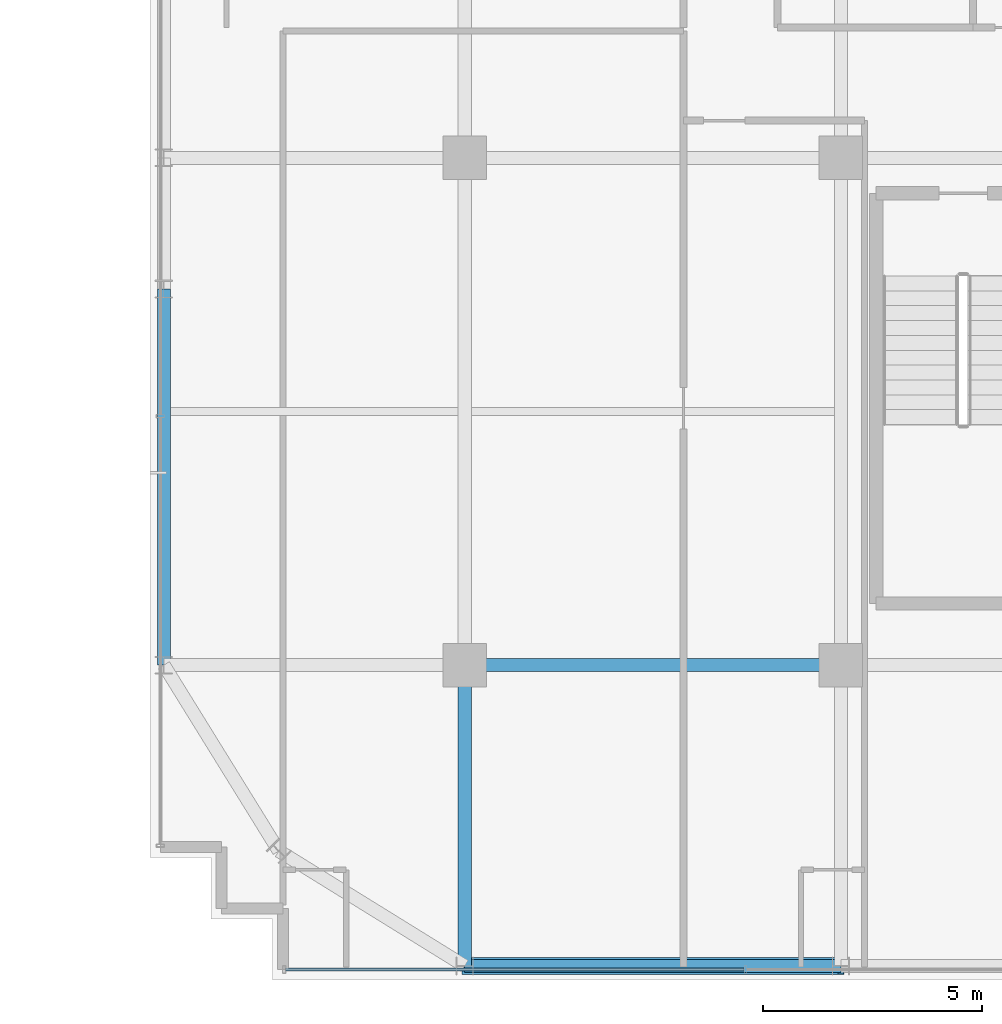
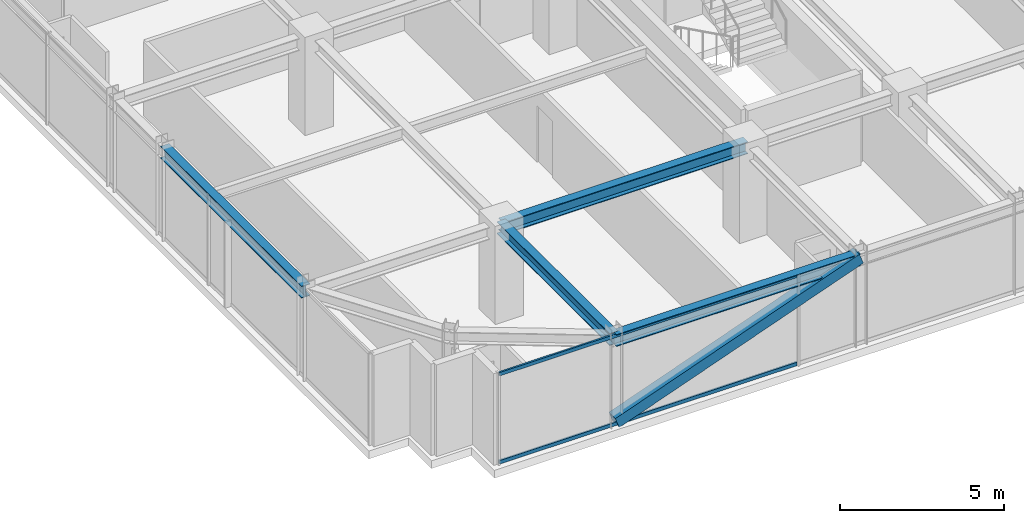
# One storey, part 5 of 36: 4 beams, 3 members, 1 element without a shape of its own.
"""IFC4 building model written with IfcOpenShell, lengths in metres."""

from ifc_helpers import new_model, si_unit, direction, frame, origin, origin_2d, place, context, subcontext, project, spatial, hollow_rectangle, i_section, extrude, source, transform, mapped, material, material_profile, profile_set, type_object, element, aggregate, save


model = new_model("IFC4")

# Units and contexts
model_context = context("Model", 3, precision=1e-05, world=origin(), true_north=direction((0.0, 1.0)))
body_context = subcontext(model_context, "Body", "Model", "MODEL_VIEW")
ifc_project = project(units=[si_unit("LENGTHUNIT", "METRE"), si_unit("AREAUNIT", "SQUARE_METRE"), si_unit("VOLUMEUNIT", "CUBIC_METRE"), si_unit("PLANEANGLEUNIT", "RADIAN"), si_unit("MASSUNIT", "GRAM", prefix="KILO")], contexts=[model_context])

# Site, building, storey
site_placement = place(None, origin())
site = spatial("IfcSite", under=ifc_project, at=site_placement, CompositionType="ELEMENT")
building_placement = place(site_placement, origin())
building = spatial("IfcBuilding", under=site, at=building_placement, Name="Nahalor Promenade Grand Hotel", CompositionType="ELEMENT")
storey_placement = place(building_placement, frame((0.0, 0.0, 212.300048828125)))
storey = spatial("IfcBuildingStorey", under=building, at=storey_placement, Name="L54", CompositionType="ELEMENT", Elevation=212.300048828125)

# Beams
ifc_material_1 = material(Name="Steel S355JR", Category="steel")
ifc_material_profile_1 = material_profile(ifc_material_1, i_section(OverallWidth=0.3, OverallDepth=0.45, WebThickness=0.014, FlangeThickness=0.026, at=origin_2d()), Name="HEB 450")
ifc_profile_set_1 = profile_set([ifc_material_profile_1], Name="Steel S355JR")
beam_type_1 = type_object("IfcBeamType", Name="Beam-Spandrel-HEB450", PredefinedType="SPANDREL", material=ifc_profile_set_1)
shared_shape_1 = source(origin(), body_context, "Body", "SweptSolid", [
    extrude(i_section(OverallWidth=0.3, OverallDepth=0.45, WebThickness=0.014, FlangeThickness=0.026, at=origin_2d()), origin(), (0.0, 0.0, 1.0), 8.60009765625),
])
for number, where, z_axis, x_axis, name in (
    (1, (-17.0, -23.8798828125, 3.18505859375), (1.0, 0.0, 0.0), (0.0, 1.0, 0.0), "BM-L54-SP-S-0"),
    (2, (-23.8798828125, -17.0, 3.18505859375), (0.0, 1.0, 0.0), (-1.0, 0.0, 0.0), "BM-L54-SP-W-0"),
):
    element("IfcBeam", number, at=place(storey_placement, frame(where, z_axis=z_axis, x_axis=x_axis)), inside=storey, type_object=beam_type_1, Name=name, PredefinedType="SPANDREL", context=body_context, shape_type="MappedRepresentation", body=[
        mapped(shared_shape_1, transform((0.0, 0.0, 0.0), scale=1.0)),
    ])
ifc_material_profile_2 = material_profile(ifc_material_1, i_section(OverallWidth=0.3, OverallDepth=0.45, WebThickness=0.014, FlangeThickness=0.026, at=origin_2d()), Name="HEB 450")
ifc_profile_set_2 = profile_set([ifc_material_profile_2], Name="Steel S355JR")
beam_type_2 = type_object("IfcBeamType", Name="Beam-Girder-HEB450", PredefinedType="BEAM", material=ifc_profile_set_2)
shared_shape_2 = source(origin(), body_context, "Body", "SweptSolid", [
    extrude(i_section(OverallWidth=0.3, OverallDepth=0.45, WebThickness=0.014, FlangeThickness=0.026, at=origin_2d()), origin(), (0.0, 0.0, 1.0), 6.8798828125),
])
beam_1_placement = place(storey_placement, frame((-17.0, -23.8798828125, 3.18505859375), z_axis=(0.0, 1.0, 0.0), x_axis=(-1.0, 0.0, 0.0)))
element("IfcBeam", 3, at=beam_1_placement, inside=storey, type_object=beam_type_2, Name="BM-L54-GY-0-0", PredefinedType="BEAM", context=body_context, shape_type="MappedRepresentation", body=[
    mapped(shared_shape_2, transform((0.0, 0.0, 0.0), scale=1.0)),
])
shared_shape_3 = source(origin(), body_context, "Body", "SweptSolid", [
    extrude(i_section(OverallWidth=0.3, OverallDepth=0.45, WebThickness=0.014, FlangeThickness=0.026, at=origin_2d()), origin(), (0.0, 0.0, 1.0), 8.60009765625),
])
beam_2_placement = place(storey_placement, frame((-17.0, -17.0, 3.18505859375), z_axis=(1.0, 0.0, 0.0), x_axis=(0.0, 1.0, 0.0)))
element("IfcBeam", 4, at=beam_2_placement, inside=storey, type_object=beam_type_2, Name="BM-L54-GX-0-1", PredefinedType="BEAM", context=body_context, shape_type="MappedRepresentation", body=[
    mapped(shared_shape_3, transform((0.0, 0.0, 0.0), scale=1.0)),
])

# Member
ifc_material_profile_3 = material_profile(ifc_material_1, hollow_rectangle(XDim=0.4, YDim=0.4, WallThickness=0.022, at=origin_2d()), Name="SHS 400x400x22")
ifc_profile_set_3 = profile_set([ifc_material_profile_3], Name="Steel S355JR")
member_type_1 = type_object("IfcMemberType", Name="Mem-ExoBrace-SHS400", PredefinedType="BRACE", material=ifc_profile_set_3)
shared_shape_4 = source(origin(), body_context, "Body", "SweptSolid", [
    extrude(hollow_rectangle(XDim=0.4, YDim=0.4, WallThickness=0.022, at=origin_2d()), origin(), (0.0, 0.0, 1.0), 9.145263671875),
])
member_1_placement = place(storey_placement, frame((-17.0, -23.8798828125, 0.14990234375), z_axis=(0.940396027132, 0.0, 0.340081331676), x_axis=(0.0, 1.0, 0.0)))
element("IfcMember", 5, at=member_1_placement, inside=storey, type_object=member_type_1, Name="EXO-L54-S-0", PredefinedType="BRACE", context=body_context, shape_type="MappedRepresentation", body=[
    mapped(shared_shape_4, transform((0.0, 0.0, 0.0), scale=1.0)),
])

# Curtain wall, members
ifc_material_2 = material(Name="Anodised Bronze Aluminium EN AW-6063 T6", Category="aluminium")
curtain_wall_type = type_object("IfcCurtainWallType", Name="CW2 Typical Hotel Flush Bronze Unitised Curtain Wall", PredefinedType="USERDEFINED", material=ifc_material_2)
curtain_wall_placement = place(storey_placement, origin())
curtain_wall = element("IfcCurtainWall", 6, at=curtain_wall_placement, inside=storey, type_object=curtain_wall_type, Name="L54 Curtain Wall CW-L54-S-1", ObjectType="UNITISED_CURTAIN_WALL", PredefinedType="USERDEFINED")
ifc_material_profile_4 = material_profile(ifc_material_2, hollow_rectangle(XDim=0.065, YDim=0.13, WallThickness=0.004, at=origin_2d()), Name="CWT 65x130x4")
ifc_profile_set_4 = profile_set([ifc_material_profile_4], Name="Anodised Bronze Aluminium EN AW-6063 T6")
member_type_2 = type_object("IfcMemberType", Name="CWT2 Typical Bronze Transom 65x130", PredefinedType="USERDEFINED", material=ifc_profile_set_4)
shared_shape_5 = source(origin(), body_context, "Body", "SweptSolid", [
    extrude(hollow_rectangle(XDim=0.065, YDim=0.13, WallThickness=0.004, at=origin_2d()), origin(), (0.0, 0.0, 1.0), 10.482421875),
])
member_2_placement = place(storey_placement, frame((-21.094970703125, -23.9599609375, 0.06494140625), z_axis=(1.0, 0.0, 0.0), x_axis=(0.0, 1.0, 0.0)))
member_2 = element("IfcMember", 7, at=member_2_placement, type_object=member_type_2, Name="CW-L54-S-1 Transom 0-0", ObjectType="TRANSOM", PredefinedType="USERDEFINED", context=body_context, shape_type="MappedRepresentation", body=[
    mapped(shared_shape_5, transform((0.0, 0.0, 0.0), scale=1.0)),
])
member_3_placement = place(storey_placement, frame((-21.094970703125, -23.9599609375, 3.344970703125), z_axis=(1.0, 0.0, 0.0), x_axis=(0.0, 1.0, 0.0)))
member_3 = element("IfcMember", 8, at=member_3_placement, type_object=member_type_2, Name="CW-L54-S-1 Transom 0-1", ObjectType="TRANSOM", PredefinedType="USERDEFINED", context=body_context, shape_type="MappedRepresentation", body=[
    mapped(shared_shape_5, transform((0.0, 0.0, 0.0), scale=1.0)),
])
aggregate(curtain_wall, [member_2, member_3])

save(model, "model.ifc")
